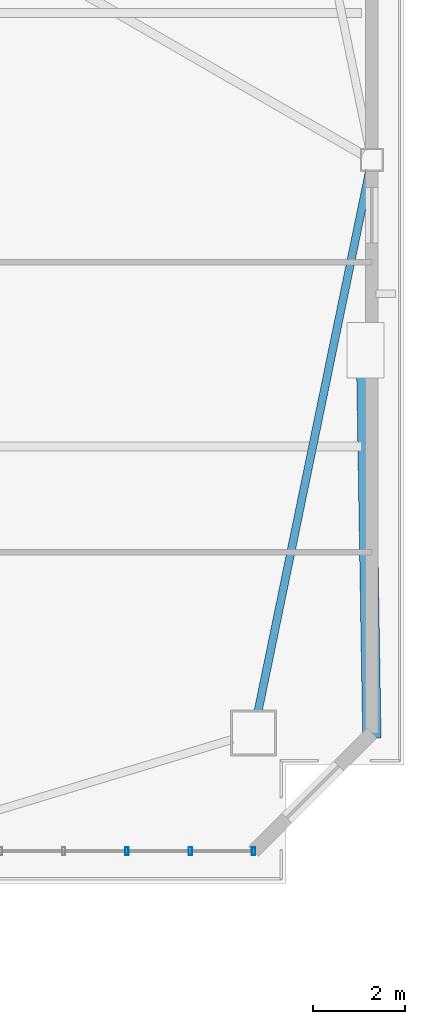
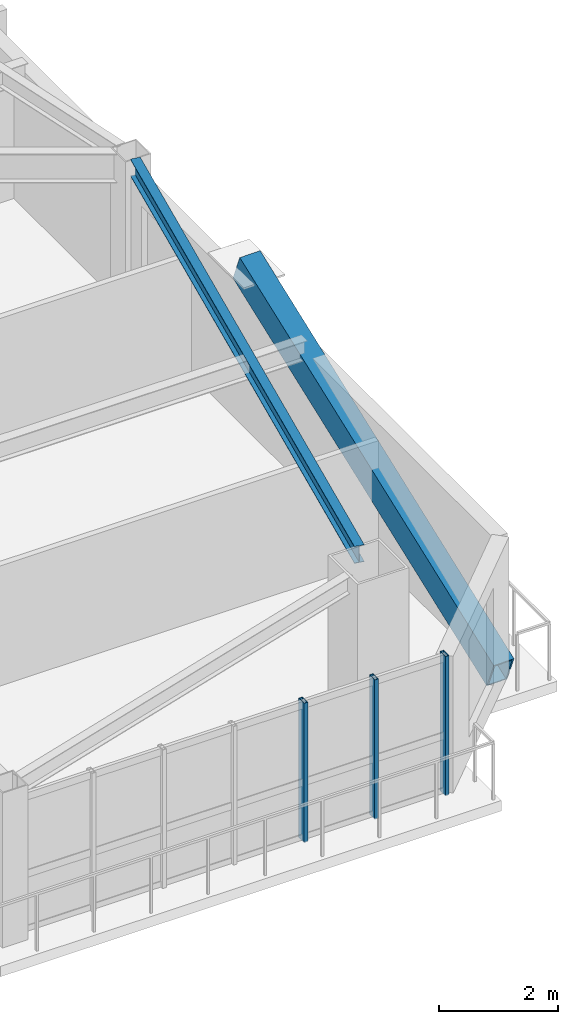
# One storey, part 6 of 18: 4 members, 1 beam, 1 element without a shape of its own.
"""IFC4 building model written with IfcOpenShell, lengths in metres."""

from ifc_helpers import new_model, si_unit, direction, frame, origin, origin_2d, place, context, subcontext, project, spatial, hollow_rectangle, i_section, extrude, source, transform, mapped, material, layer, layer_set, material_profile, profile_set, type_object, element, aggregate, save


model = new_model("IFC4")

# Units and contexts
model_context = context("Model", 3, precision=1e-05, world=origin(), true_north=direction((0.0, 1.0)))
body_context = subcontext(model_context, "Body", "Model", "MODEL_VIEW")
ifc_project = project(units=[si_unit("LENGTHUNIT", "METRE"), si_unit("AREAUNIT", "SQUARE_METRE"), si_unit("VOLUMEUNIT", "CUBIC_METRE"), si_unit("PLANEANGLEUNIT", "RADIAN"), si_unit("MASSUNIT", "GRAM", prefix="KILO")], contexts=[model_context])

# Site, building, storey
site_placement = place(None, origin())
site = spatial("IfcSite", under=ifc_project, at=site_placement, CompositionType="ELEMENT")
building_placement = place(site_placement, origin())
building = spatial("IfcBuilding", under=site, at=building_placement, Name="Giltprow Tower", CompositionType="ELEMENT")
storey_placement = place(building_placement, frame((0.0, 0.0, 258.699951171875)))
storey = spatial("IfcBuildingStorey", under=building, at=storey_placement, Name="L66", CompositionType="ELEMENT", Elevation=258.699951171875)

# Beam
ifc_material_1 = material(Name="Structural steel Q355B", Category="steel")
ifc_material_profile_1 = material_profile(ifc_material_1, i_section(OverallWidth=0.175048828125, OverallDepth=0.35009765625, WebThickness=0.007080078125, FlangeThickness=0.010986328125, at=origin_2d()), Name="HN 350x175x7x11")
ifc_profile_set_1 = profile_set([ifc_material_profile_1], Name="Structural steel Q355B")
beam_type = type_object("IfcBeamType", Name="BM-SPAN-HN350", PredefinedType="SPANDREL", material=ifc_profile_set_1)
shared_shape_1 = source(origin(), body_context, "Body", "SweptSolid", [
    extrude(i_section(OverallWidth=0.175048828125, OverallDepth=0.35009765625, WebThickness=0.007080078125, FlangeThickness=0.010986328125, at=origin_2d()), origin(), (0.0, 0.0, 1.0), 12.000244140625),
])
beam_placement = place(storey_placement, frame((59.15087890625, 19.089111328125, 3.010009765625), z_axis=(0.202000773979, 0.979385362006, 0.0), x_axis=(-0.979385362006, 0.202000773979, 0.0)))
element("IfcBeam", 1, at=beam_placement, inside=storey, type_object=beam_type, Name="L66 Perimeter Spandrel Beam MC_SE-E_MID", PredefinedType="SPANDREL", context=body_context, shape_type="MappedRepresentation", body=[
    mapped(shared_shape_1, transform((0.0, 0.0, 0.0), x_axis=(1.0, 0.0, 0.0), y_axis=(0.0, 1.0, 0.0), z_axis=(0.0, 0.0, 1.0), scale=1.0)),
])

# Member
ifc_material_2 = material(Name="Structural steel Q420GJC", Category="steel")
ifc_material_profile_2 = material_profile(ifc_material_2, hollow_rectangle(XDim=0.39990234375, YDim=0.60009765625, WallThickness=0.028076171875, at=origin_2d()), Name="RHS 600x400x28")
ifc_profile_set_2 = profile_set([ifc_material_profile_2], Name="Structural steel Q420GJC")
member_type_1 = type_object("IfcMemberType", Name="MBR-MEGA-RHS600", PredefinedType="BRACE", material=ifc_profile_set_2)
shared_shape_2 = source(origin(), body_context, "Body", "SweptSolid", [
    extrude(hollow_rectangle(XDim=0.39990234375, YDim=0.60009765625, WallThickness=0.028076171875, at=origin_2d()), origin(), (0.0, 0.0, 1.0), 8.989990234375),
])
member_1_placement = place(storey_placement, frame((61.6220703125, 18.614013671875, 0.0), z_axis=(-0.015370832294, 0.92559024221, 0.378214808065), x_axis=(-0.99986214027, -0.016604230009, 0.0)))
element("IfcMember", 2, at=member_1_placement, inside=storey, type_object=member_type_1, Name="L66 Chevron Mega-Brace E-D", PredefinedType="BRACE", context=body_context, shape_type="MappedRepresentation", body=[
    mapped(shared_shape_2, transform((0.0, 0.0, 0.0), x_axis=(1.0, 0.0, 0.0), y_axis=(0.0, 1.0, 0.0), z_axis=(0.0, 0.0, 1.0), scale=1.0)),
])

# Curtain wall, members
ifc_material_3 = material(Name="Anodized bronze", Category="metal")
ifc_layer = layer(ifc_material_3, 0.179931640625, Name="Anodized bronze")
ifc_layer_set = layer_set([ifc_layer], Name="Anodized bronze")
curtain_wall_type = type_object("IfcCurtainWallType", Name="CW-RES-SKY", PredefinedType="NOTDEFINED", material=ifc_layer_set)
curtain_wall_placement = place(storey_placement, origin())
curtain_wall = element("IfcCurtainWall", 3, at=curtain_wall_placement, inside=storey, type_object=curtain_wall_type, Name="L66 South Recessed Curtain Wall 6", PredefinedType="NOTDEFINED")
ifc_material_profile_3 = material_profile(ifc_material_3, hollow_rectangle(XDim=0.074951171875, YDim=0.179931640625, WallThickness=0.008056640625, at=origin_2d()), Name="RHS 180x75x8")
ifc_profile_set_3 = profile_set([ifc_material_profile_3], Name="Anodized bronze")
member_type_2 = type_object("IfcMemberType", Name="CW-MULLION-180x75", PredefinedType="MULLION", material=ifc_profile_set_3)
shared_shape_3 = source(origin(), body_context, "Body", "SweptSolid", [
    extrude(hollow_rectangle(XDim=0.074951171875, YDim=0.179931640625, WallThickness=0.008056640625, at=origin_2d()), origin(), (0.0, 0.0, 1.0), 2.8701171875),
])
member_2_placement = place(storey_placement, frame((56.302001953125, 16.044921875, -0.02001953125), z_axis=(0.0, 0.0, 1.0), x_axis=(1.0, 0.0, 0.0)))
member_2 = element("IfcMember", 4, at=member_2_placement, type_object=member_type_2, Name="L66 South Recessed Curtain Wall 6 Mullion 5", PredefinedType="MULLION", context=body_context, shape_type="MappedRepresentation", body=[
    mapped(shared_shape_3, transform((0.0, 0.0, 0.0), x_axis=(1.0, 0.0, 0.0), y_axis=(0.0, 1.0, 0.0), z_axis=(0.0, 0.0, 1.0), scale=1.0)),
])
member_3_placement = place(storey_placement, frame((57.677001953125, 16.044921875, -0.02001953125), z_axis=(0.0, 0.0, 1.0), x_axis=(1.0, 0.0, 0.0)))
member_3 = element("IfcMember", 5, at=member_3_placement, type_object=member_type_2, Name="L66 South Recessed Curtain Wall 6 Mullion 6", PredefinedType="MULLION", context=body_context, shape_type="MappedRepresentation", body=[
    mapped(shared_shape_3, transform((0.0, 0.0, 0.0), x_axis=(1.0, 0.0, 0.0), y_axis=(0.0, 1.0, 0.0), z_axis=(0.0, 0.0, 1.0), scale=1.0)),
])
member_4_placement = place(storey_placement, frame((59.052978515625, 16.044921875, -0.02001953125), z_axis=(0.0, 0.0, 1.0), x_axis=(1.0, 0.0, 0.0)))
member_4 = element("IfcMember", 6, at=member_4_placement, type_object=member_type_2, Name="L66 South Recessed Curtain Wall 6 Mullion 7", PredefinedType="MULLION", context=body_context, shape_type="MappedRepresentation", body=[
    mapped(shared_shape_3, transform((0.0, 0.0, 0.0), x_axis=(1.0, 0.0, 0.0), y_axis=(0.0, 1.0, 0.0), z_axis=(0.0, 0.0, 1.0), scale=1.0)),
])
aggregate(curtain_wall, [member_2, member_3, member_4])

save(model, "model.ifc")
